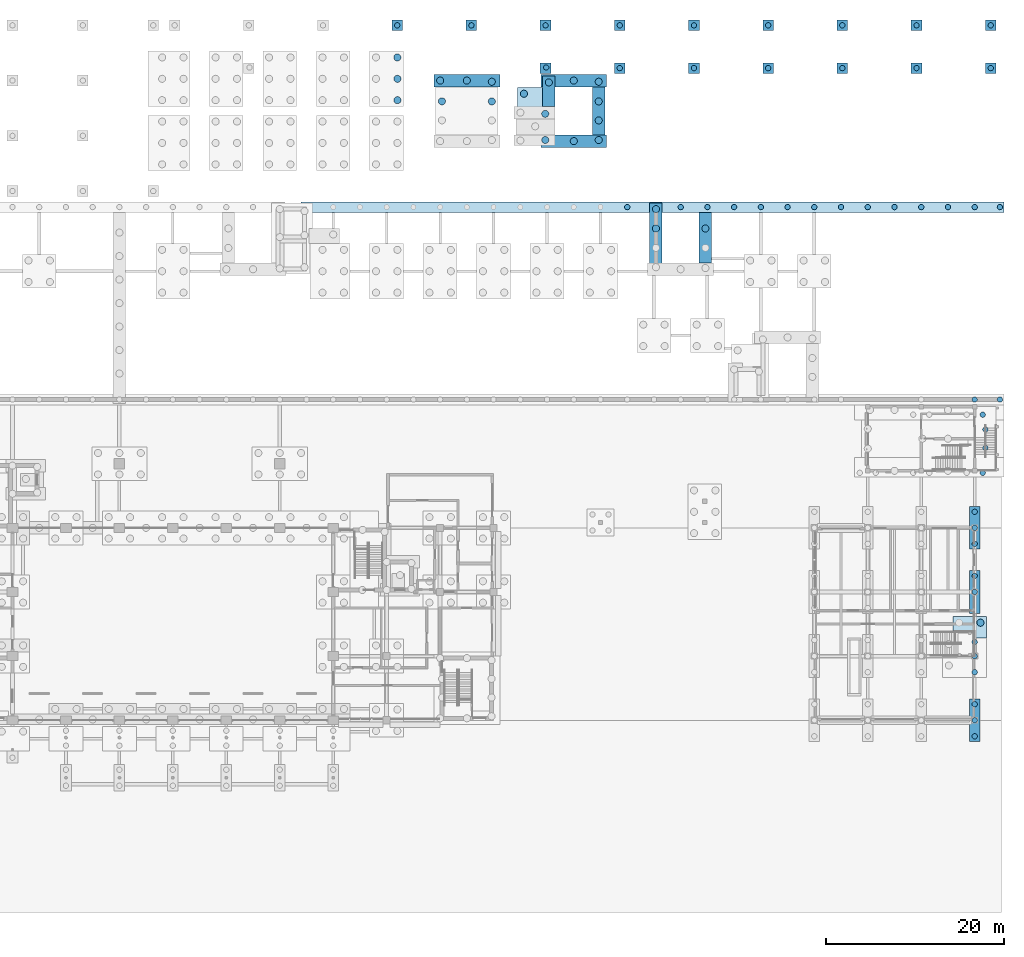
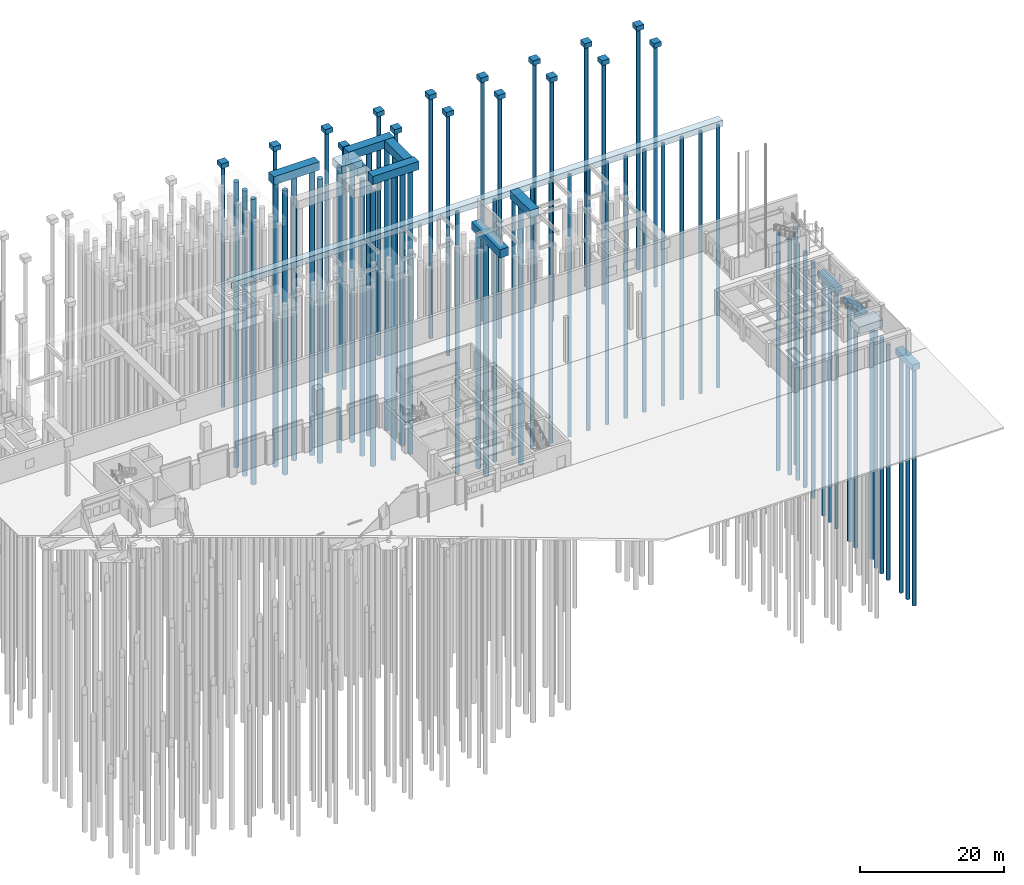
# One storey, part 7 of 37: 69 piles, 29 footings.
"""IFC4 building model written with IfcOpenShell, lengths in metres."""

from ifc_helpers import new_model, si_unit, direction, frame, origin, origin_2d, place, context, subcontext, project, spatial, polyline, circle, outline, extrude, material, layer, layer_set, material_profile, profile_set, type_object, element, save


model = new_model("IFC4")

# Units and contexts
model_context = context("Model", 3, precision=1e-05, world=origin(), true_north=direction((0.0, 1.0)))
body_context = subcontext(model_context, "Body", "Model", "MODEL_VIEW")
ifc_project = project(units=[si_unit("LENGTHUNIT", "METRE"), si_unit("AREAUNIT", "SQUARE_METRE"), si_unit("VOLUMEUNIT", "CUBIC_METRE"), si_unit("PLANEANGLEUNIT", "RADIAN"), si_unit("MASSUNIT", "GRAM", prefix="KILO")], contexts=[model_context])

# Site, building, storey
site_placement = place(None, origin())
site = spatial("IfcSite", under=ifc_project, at=site_placement, CompositionType="ELEMENT")
building_placement = place(site_placement, origin())
building = spatial("IfcBuilding", under=site, at=building_placement, Name="Laocheng Heights Fire and Rescue Headquarters", CompositionType="ELEMENT")
storey_placement = place(building_placement, origin())
storey = spatial("IfcBuildingStorey", under=building, at=storey_placement, Name="L00", CompositionType="ELEMENT", Elevation=0.0)

# Piles
ifc_material_1 = material(Name="Concrete C35", Category="concrete")
ifc_material_profile_1 = material_profile(ifc_material_1, circle(Radius=0.300048828125, at=origin_2d()), Name="BORED PILE D600")
ifc_profile_set_1 = profile_set([ifc_material_profile_1], Name="Concrete C35")
pile_type_1 = type_object("IfcPileType", Name="BORED PILE D600", PredefinedType="BORED", material=ifc_profile_set_1)
for number, where, z_axis, x_axis, name in (
    (1, (126.0, -1.800048828125, -1.25), (0.0, 0.0, -1.0), (1.0, 0.0, 0.0), "Bored pile D600"),
    (2, (126.0, 0.0, -1.25), (0.0, 0.0, -1.0), (1.0, 0.0, 0.0), "Bored pile D600"),
    (3, (126.0, 1.800048828125, -1.25), (0.0, 0.0, -1.0), (1.0, 0.0, 0.0), "Bored pile D600"),
):
    element("IfcPile", number, at=place(storey_placement, frame(where, z_axis=z_axis, x_axis=x_axis)), inside=storey, type_object=pile_type_1, Name=name, PredefinedType="BORED", context=body_context, shape_type="SweptSolid", body=[
        extrude(circle(Radius=0.300048828125, at=origin_2d()), origin(), (0.0, 0.0, 1.0), 40.25),
    ])
for number, where, z_axis, x_axis, name in (
    (4, (126.0, 5.39990234375, -1.449951171875), (0.0, 0.0, -1.0), (1.0, 0.0, 0.0), "Bored pile D600"),
    (5, (126.0, 7.199951171875, -1.449951171875), (0.0, 0.0, -1.0), (1.0, 0.0, 0.0), "Bored pile D600"),
    (6, (126.0, 8.780029296875, -1.449951171875), (0.0, 0.0, -1.0), (1.0, 0.0, 0.0), "Bored pile D600"),
):
    element("IfcPile", number, at=place(storey_placement, frame(where, z_axis=z_axis, x_axis=x_axis)), inside=storey, type_object=pile_type_1, Name=name, PredefinedType="BORED", context=body_context, shape_type="SweptSolid", body=[
        extrude(circle(Radius=0.300048828125, at=origin_2d()), origin(), (0.0, 0.0, 1.0), 40.050048828125),
    ])
for number, where, z_axis, x_axis, name in (
    (7, (126.0, 14.39990234375, -1.25), (0.0, 0.0, -1.0), (1.0, 0.0, 0.0), "Bored pile D600"),
    (8, (126.0, 16.199951171875, -1.25), (0.0, 0.0, -1.0), (1.0, 0.0, 0.0), "Bored pile D600"),
):
    element("IfcPile", number, at=place(storey_placement, frame(where, z_axis=z_axis, x_axis=x_axis)), inside=storey, type_object=pile_type_1, Name=name, PredefinedType="BORED", context=body_context, shape_type="SweptSolid", body=[
        extrude(circle(Radius=0.300048828125, at=origin_2d()), origin(), (0.0, 0.0, 1.0), 40.25),
    ])
for number, where, z_axis, x_axis, name in (
    (9, (126.0, 19.800048828125, -1.300048828125), (0.0, 0.0, -1.0), (1.0, 0.0, 0.0), "Bored pile D600"),
    (10, (126.0, 21.60009765625, -1.300048828125), (0.0, 0.0, -1.0), (1.0, 0.0, 0.0), "Bored pile D600"),
    (11, (126.0, 23.39990234375, -1.300048828125), (0.0, 0.0, -1.0), (1.0, 0.0, 0.0), "Bored pile D600"),
):
    element("IfcPile", number, at=place(storey_placement, frame(where, z_axis=z_axis, x_axis=x_axis)), inside=storey, type_object=pile_type_1, Name=name, PredefinedType="BORED", context=body_context, shape_type="SweptSolid", body=[
        extrude(circle(Radius=0.300048828125, at=origin_2d()), origin(), (0.0, 0.0, 1.0), 40.199951171875),
    ])
for number, where, z_axis, x_axis, name in (
    (12, (126.89990234375, 27.77001953125, -1.5), (0.0, 0.0, -1.0), (1.0, 0.0, 0.0), "Bored pile D600"),
    (13, (127.199951171875, 30.566650390625, -1.5), (0.0, 0.0, -1.0), (1.0, 0.0, 0.0), "Bored pile D600"),
    (14, (127.199951171875, 32.63330078125, -1.5), (0.0, 0.0, -1.0), (1.0, 0.0, 0.0), "Bored pile D600"),
    (15, (126.89990234375, 34.300048828125, -1.5), (0.0, 0.0, -1.0), (1.0, 0.0, 0.0), "Bored pile D600"),
):
    element("IfcPile", number, at=place(storey_placement, frame(where, z_axis=z_axis, x_axis=x_axis)), inside=storey, type_object=pile_type_1, Name=name, PredefinedType="BORED", context=body_context, shape_type="SweptSolid", body=[
        extrude(circle(Radius=0.300048828125, at=origin_2d()), origin(), (0.0, 0.0, 1.0), 40.0),
    ])
for number, where, z_axis, x_axis, name in (
    (16, (126.0, 36.0, -1.300048828125), (0.0, 0.0, -1.0), (1.0, 0.0, 0.0), "Bored pile D600"),
    (17, (128.830078125, 36.0, -1.300048828125), (0.0, 0.0, -1.0), (1.0, 0.0, 0.0), "Bored pile D600"),
):
    element("IfcPile", number, at=place(storey_placement, frame(where, z_axis=z_axis, x_axis=x_axis)), inside=storey, type_object=pile_type_1, Name=name, PredefinedType="BORED", context=body_context, shape_type="SweptSolid", body=[
        extrude(circle(Radius=0.300048828125, at=origin_2d()), origin(), (0.0, 0.0, 1.0), 40.199951171875),
    ])
for number, where, z_axis, x_axis, name in (
    (18, (87.0, 57.60009765625, 2.949951171875), (0.0, 0.0, -1.0), (1.0, 0.0, 0.0), "Bored pile D600"),
    (19, (93.0, 57.60009765625, 2.949951171875), (0.0, 0.0, -1.0), (1.0, 0.0, 0.0), "Bored pile D600"),
    (20, (96.0, 57.60009765625, 2.949951171875), (0.0, 0.0, -1.0), (1.0, 0.0, 0.0), "Bored pile D600"),
    (21, (99.0, 57.60009765625, 2.949951171875), (0.0, 0.0, -1.0), (1.0, 0.0, 0.0), "Bored pile D600"),
    (22, (102.0, 57.60009765625, 2.949951171875), (0.0, 0.0, -1.0), (1.0, 0.0, 0.0), "Bored pile D600"),
    (23, (105.0, 57.60009765625, 2.949951171875), (0.0, 0.0, -1.0), (1.0, 0.0, 0.0), "Bored pile D600"),
    (24, (108.0, 57.60009765625, 2.949951171875), (0.0, 0.0, -1.0), (1.0, 0.0, 0.0), "Bored pile D600"),
    (25, (111.0, 57.60009765625, 2.949951171875), (0.0, 0.0, -1.0), (1.0, 0.0, 0.0), "Bored pile D600"),
    (26, (114.0, 57.60009765625, 2.949951171875), (0.0, 0.0, -1.0), (1.0, 0.0, 0.0), "Bored pile D600"),
    (27, (117.0, 57.60009765625, 2.949951171875), (0.0, 0.0, -1.0), (1.0, 0.0, 0.0), "Bored pile D600"),
    (28, (120.0, 57.60009765625, 2.949951171875), (0.0, 0.0, -1.0), (1.0, 0.0, 0.0), "Bored pile D600"),
    (29, (123.0, 57.60009765625, 2.949951171875), (0.0, 0.0, -1.0), (1.0, 0.0, 0.0), "Bored pile D600"),
    (30, (126.0, 57.60009765625, 2.949951171875), (0.0, 0.0, -1.0), (1.0, 0.0, 0.0), "Bored pile D600"),
    (31, (128.830078125, 57.60009765625, 2.949951171875), (0.0, 0.0, -1.0), (1.0, 0.0, 0.0), "Bored pile D600"),
):
    element("IfcPile", number, at=place(storey_placement, frame(where, z_axis=z_axis, x_axis=x_axis)), inside=storey, type_object=pile_type_1, Name=name, PredefinedType="BORED", context=body_context, shape_type="SweptSolid", body=[
        extrude(circle(Radius=0.300048828125, at=origin_2d()), origin(), (0.0, 0.0, 1.0), 44.449951171875),
    ])
for number, where, z_axis, x_axis, name in (
    (32, (77.906494140625, 73.27001953125, 7.35009765625), (0.0, 0.0, -1.0), (1.0, 0.0, 0.0), "Bored pile D600"),
    (33, (86.16357421875, 73.199951171875, 7.35009765625), (0.0, 0.0, -1.0), (1.0, 0.0, 0.0), "Bored pile D600"),
    (34, (94.490966796875, 73.199951171875, 7.35009765625), (0.0, 0.0, -1.0), (1.0, 0.0, 0.0), "Bored pile D600"),
    (35, (102.818115234375, 73.199951171875, 7.35009765625), (0.0, 0.0, -1.0), (1.0, 0.0, 0.0), "Bored pile D600"),
    (36, (111.1455078125, 73.199951171875, 7.35009765625), (0.0, 0.0, -1.0), (1.0, 0.0, 0.0), "Bored pile D600"),
    (37, (119.47265625, 73.199951171875, 7.35009765625), (0.0, 0.0, -1.0), (1.0, 0.0, 0.0), "Bored pile D600"),
    (38, (127.800048828125, 73.199951171875, 7.35009765625), (0.0, 0.0, -1.0), (1.0, 0.0, 0.0), "Bored pile D600"),
    (39, (61.181884765625, 78.0, 7.35009765625), (0.0, 0.0, -1.0), (1.0, 0.0, 0.0), "Bored pile D600"),
    (40, (69.509033203125, 78.0, 7.35009765625), (0.0, 0.0, -1.0), (1.0, 0.0, 0.0), "Bored pile D600"),
    (41, (77.83642578125, 78.0, 7.35009765625), (0.0, 0.0, -1.0), (1.0, 0.0, 0.0), "Bored pile D600"),
    (42, (86.16357421875, 78.0, 7.35009765625), (0.0, 0.0, -1.0), (1.0, 0.0, 0.0), "Bored pile D600"),
    (43, (94.490966796875, 78.0, 7.35009765625), (0.0, 0.0, -1.0), (1.0, 0.0, 0.0), "Bored pile D600"),
    (44, (102.818115234375, 78.0, 7.35009765625), (0.0, 0.0, -1.0), (1.0, 0.0, 0.0), "Bored pile D600"),
    (45, (111.1455078125, 78.0, 7.35009765625), (0.0, 0.0, -1.0), (1.0, 0.0, 0.0), "Bored pile D600"),
    (46, (119.47265625, 78.0, 7.35009765625), (0.0, 0.0, -1.0), (1.0, 0.0, 0.0), "Bored pile D600"),
    (47, (127.800048828125, 78.0, 7.35009765625), (0.0, 0.0, -1.0), (1.0, 0.0, 0.0), "Bored pile D600"),
):
    element("IfcPile", number, at=place(storey_placement, frame(where, z_axis=z_axis, x_axis=x_axis)), inside=storey, type_object=pile_type_1, Name=name, PredefinedType="BORED", context=body_context, shape_type="SweptSolid", body=[
        extrude(circle(Radius=0.300048828125, at=origin_2d()), origin(), (0.0, 0.0, 1.0), 40.85009765625),
    ])
ifc_material_2 = material(Name="Concrete C35", Category="concrete")
ifc_material_profile_2 = material_profile(ifc_material_2, circle(Radius=0.39990234375, at=origin_2d()), Name="BORED PILE D800")
ifc_profile_set_2 = profile_set([ifc_material_profile_2], Name="Concrete C35")
pile_type_2 = type_object("IfcPileType", Name="BORED PILE D800", PredefinedType="BORED", material=ifc_profile_set_2)
pile_1_placement = place(storey_placement, frame((126.64990234375, 10.949951171875, -1.449951171875), z_axis=(0.0, 0.0, -1.0), x_axis=(1.0, 0.0, 0.0)))
element("IfcPile", 48, at=pile_1_placement, inside=storey, type_object=pile_type_2, Name="Bored pile D800", PredefinedType="BORED", context=body_context, shape_type="SweptSolid", body=[
    extrude(circle(Radius=0.39990234375, at=origin_2d()), origin(), (0.0, 0.0, 1.0), 40.050048828125),
])
for number, where, z_axis, x_axis, name in (
    (49, (90.22509765625, 55.199951171875, -1.39990234375), (0.0, 0.0, -1.0), (1.0, 0.0, 0.0), "Bored pile D800"),
    (50, (90.22509765625, 57.375, -1.39990234375), (0.0, 0.0, -1.0), (1.0, 0.0, 0.0), "Bored pile D800"),
):
    element("IfcPile", number, at=place(storey_placement, frame(where, z_axis=z_axis, x_axis=x_axis)), inside=storey, type_object=pile_type_2, Name=name, PredefinedType="BORED", context=body_context, shape_type="SweptSolid", body=[
        extrude(circle(Radius=0.39990234375, at=origin_2d()), origin(), (0.0, 0.0, 1.0), 40.10009765625),
    ])
pile_2_placement = place(storey_placement, frame((95.77490234375, 55.199951171875, 2.60009765625), z_axis=(0.0, 0.0, -1.0), x_axis=(1.0, 0.0, 0.0)))
element("IfcPile", 51, at=pile_2_placement, inside=storey, type_object=pile_type_2, Name="Bored pile D800", PredefinedType="BORED", context=body_context, shape_type="SweptSolid", body=[
    extrude(circle(Radius=0.39990234375, at=origin_2d()), origin(), (0.0, 0.0, 1.0), 44.10009765625),
])
for number, where, z_axis, x_axis, name in (
    (52, (83.800048828125, 65.1298828125, 6.75), (0.0, 0.0, -1.0), (1.0, 0.0, 0.0), "Bored pile D800"),
    (53, (81.0, 65.0, 6.75), (0.0, 0.0, -1.0), (1.0, 0.0, 0.0), "Bored pile D800"),
):
    element("IfcPile", number, at=place(storey_placement, frame(where, z_axis=z_axis, x_axis=x_axis)), inside=storey, type_object=pile_type_2, Name=name, PredefinedType="BORED", context=body_context, shape_type="SweptSolid", body=[
        extrude(circle(Radius=0.39990234375, at=origin_2d()), origin(), (0.0, 0.0, 1.0), 48.25),
    ])
for number, where, z_axis, x_axis, name in (
    (54, (77.800048828125, 65.1298828125, 5.300048828125), (0.0, 0.0, -1.0), (1.0, 0.0, 0.0), "Bored pile D800"),
    (55, (77.800048828125, 68.070068359375, 5.300048828125), (0.0, 0.0, -1.0), (1.0, 0.0, 0.0), "Bored pile D800"),
):
    element("IfcPile", number, at=place(storey_placement, frame(where, z_axis=z_axis, x_axis=x_axis)), inside=storey, type_object=pile_type_2, Name=name, PredefinedType="BORED", context=body_context, shape_type="SweptSolid", body=[
        extrude(circle(Radius=0.39990234375, at=origin_2d()), origin(), (0.0, 0.0, 1.0), 46.800048828125),
    ])
for number, where, z_axis, x_axis, name in (
    (56, (71.800048828125, 69.466796875, 6.75), (0.0, 0.0, -1.0), (1.0, 0.0, 0.0), "Bored pile D800"),
    (57, (66.199951171875, 69.466796875, 6.75), (0.0, 0.0, -1.0), (1.0, 0.0, 0.0), "Bored pile D800"),
    (58, (83.800048828125, 67.333251953125, 6.75), (0.0, 0.0, -1.0), (1.0, 0.0, 0.0), "Bored pile D800"),
    (59, (83.800048828125, 69.466796875, 6.75), (0.0, 0.0, -1.0), (1.0, 0.0, 0.0), "Bored pile D800"),
):
    element("IfcPile", number, at=place(storey_placement, frame(where, z_axis=z_axis, x_axis=x_axis)), inside=storey, type_object=pile_type_2, Name=name, PredefinedType="BORED", context=body_context, shape_type="SweptSolid", body=[
        extrude(circle(Radius=0.39990234375, at=origin_2d()), origin(), (0.0, 0.0, 1.0), 48.25),
    ])
pile_3_placement = place(storey_placement, frame((75.39990234375, 70.324951171875, 6.949951171875), z_axis=(0.0, 0.0, -1.0), x_axis=(1.0, 0.0, 0.0)))
element("IfcPile", 60, at=pile_3_placement, inside=storey, type_object=pile_type_2, Name="Bored pile D800", PredefinedType="BORED", context=body_context, shape_type="SweptSolid", body=[
    extrude(circle(Radius=0.39990234375, at=origin_2d()), origin(), (0.0, 0.0, 1.0), 48.449951171875),
])
pile_4_placement = place(storey_placement, frame((78.199951171875, 71.60009765625, 5.300048828125), z_axis=(0.0, 0.0, -1.0), x_axis=(1.0, 0.0, 0.0)))
element("IfcPile", 61, at=pile_4_placement, inside=storey, type_object=pile_type_2, Name="Bored pile D800", PredefinedType="BORED", context=body_context, shape_type="SweptSolid", body=[
    extrude(circle(Radius=0.39990234375, at=origin_2d()), origin(), (0.0, 0.0, 1.0), 46.800048828125),
])
for number, where, z_axis, x_axis, name in (
    (62, (71.800048828125, 71.669921875, 6.75), (0.0, 0.0, -1.0), (1.0, 0.0, 0.0), "Bored pile D800"),
    (63, (66.0, 71.800048828125, 6.75), (0.0, 0.0, -1.0), (1.0, 0.0, 0.0), "Bored pile D800"),
    (64, (69.0, 71.800048828125, 6.75), (0.0, 0.0, -1.0), (1.0, 0.0, 0.0), "Bored pile D800"),
    (65, (83.800048828125, 71.669921875, 6.75), (0.0, 0.0, -1.0), (1.0, 0.0, 0.0), "Bored pile D800"),
    (66, (81.0, 71.800048828125, 6.75), (0.0, 0.0, -1.0), (1.0, 0.0, 0.0), "Bored pile D800"),
):
    element("IfcPile", number, at=place(storey_placement, frame(where, z_axis=z_axis, x_axis=x_axis)), inside=storey, type_object=pile_type_2, Name=name, PredefinedType="BORED", context=body_context, shape_type="SweptSolid", body=[
        extrude(circle(Radius=0.39990234375, at=origin_2d()), origin(), (0.0, 0.0, 1.0), 48.25),
    ])
for number, where, z_axis, x_axis, name in (
    (67, (61.199951171875, 69.60009765625, 6.949951171875), (0.0, 0.0, -1.0), (1.0, 0.0, 0.0), "Bored pile D800"),
    (68, (61.199951171875, 72.0, 6.949951171875), (0.0, 0.0, -1.0), (1.0, 0.0, 0.0), "Bored pile D800"),
    (69, (61.199951171875, 74.39990234375, 6.949951171875), (0.0, 0.0, -1.0), (1.0, 0.0, 0.0), "Bored pile D800"),
):
    element("IfcPile", number, at=place(storey_placement, frame(where, z_axis=z_axis, x_axis=x_axis)), inside=storey, type_object=pile_type_2, Name=name, PredefinedType="BORED", context=body_context, shape_type="SweptSolid", body=[
        extrude(circle(Radius=0.39990234375, at=origin_2d()), origin(), (0.0, 0.0, 1.0), 48.449951171875),
    ])

# Footings
ifc_material_3 = material(Name="Concrete C40", Category="concrete")
ifc_layer_1 = layer(ifc_material_3, 0.800048828125)
ifc_layer_set_1 = layer_set([ifc_layer_1], Name="Concrete C40")
footing_type_1 = type_object("IfcFootingType", Name="RC PILE CAP 1200x1200x800 ON 1 D600 PILES", PredefinedType="PILE_CAP", material=ifc_layer_set_1)
footing_1_placement = place(storey_placement, frame((0.0, 0.0, 7.35009765625)))
element("IfcFooting", 70, at=footing_1_placement, inside=storey, type_object=footing_type_1, Name="Pile cap", PredefinedType="PILE_CAP", context=body_context, shape_type="SweptSolid", body=[
    extrude(outline(polyline([(77.236328125, 72.60009765625), (78.436279296875, 72.60009765625), (78.436279296875, 73.800048828125), (77.236328125, 73.800048828125), (77.236328125, 72.60009765625)])), origin(), (0.0, 0.0, 1.0), 0.7998046875),
])
footing_2_placement = place(storey_placement, frame((0.0, 0.0, 7.35009765625)))
element("IfcFooting", 71, at=footing_2_placement, inside=storey, type_object=footing_type_1, Name="Pile cap", PredefinedType="PILE_CAP", context=body_context, shape_type="SweptSolid", body=[
    extrude(outline(polyline([(85.563720703125, 72.60009765625), (86.763671875, 72.60009765625), (86.763671875, 73.800048828125), (85.563720703125, 73.800048828125), (85.563720703125, 72.60009765625)])), origin(), (0.0, 0.0, 1.0), 0.7998046875),
])
footing_3_placement = place(storey_placement, frame((0.0, 0.0, 7.35009765625)))
element("IfcFooting", 72, at=footing_3_placement, inside=storey, type_object=footing_type_1, Name="Pile cap", PredefinedType="PILE_CAP", context=body_context, shape_type="SweptSolid", body=[
    extrude(outline(polyline([(93.890869140625, 72.60009765625), (95.0908203125, 72.60009765625), (95.0908203125, 73.800048828125), (93.890869140625, 73.800048828125), (93.890869140625, 72.60009765625)])), origin(), (0.0, 0.0, 1.0), 0.7998046875),
])
footing_4_placement = place(storey_placement, frame((0.0, 0.0, 7.35009765625)))
element("IfcFooting", 73, at=footing_4_placement, inside=storey, type_object=footing_type_1, Name="Pile cap", PredefinedType="PILE_CAP", context=body_context, shape_type="SweptSolid", body=[
    extrude(outline(polyline([(102.21826171875, 72.60009765625), (103.418212890625, 72.60009765625), (103.418212890625, 73.800048828125), (102.21826171875, 73.800048828125), (102.21826171875, 72.60009765625)])), origin(), (0.0, 0.0, 1.0), 0.7998046875),
])
footing_5_placement = place(storey_placement, frame((0.0, 0.0, 7.35009765625)))
element("IfcFooting", 74, at=footing_5_placement, inside=storey, type_object=footing_type_1, Name="Pile cap", PredefinedType="PILE_CAP", context=body_context, shape_type="SweptSolid", body=[
    extrude(outline(polyline([(110.54541015625, 72.60009765625), (111.74560546875, 72.60009765625), (111.74560546875, 73.800048828125), (110.54541015625, 73.800048828125), (110.54541015625, 72.60009765625)])), origin(), (0.0, 0.0, 1.0), 0.7998046875),
])
footing_6_placement = place(storey_placement, frame((0.0, 0.0, 7.35009765625)))
element("IfcFooting", 75, at=footing_6_placement, inside=storey, type_object=footing_type_1, Name="Pile cap", PredefinedType="PILE_CAP", context=body_context, shape_type="SweptSolid", body=[
    extrude(outline(polyline([(118.872802734375, 72.60009765625), (120.07275390625, 72.60009765625), (120.07275390625, 73.800048828125), (118.872802734375, 73.800048828125), (118.872802734375, 72.60009765625)])), origin(), (0.0, 0.0, 1.0), 0.7998046875),
])
footing_7_placement = place(storey_placement, frame((0.0, 0.0, 7.35009765625)))
element("IfcFooting", 76, at=footing_7_placement, inside=storey, type_object=footing_type_1, Name="Pile cap", PredefinedType="PILE_CAP", context=body_context, shape_type="SweptSolid", body=[
    extrude(outline(polyline([(127.199951171875, 72.60009765625), (128.39990234375, 72.60009765625), (128.39990234375, 73.800048828125), (127.199951171875, 73.800048828125), (127.199951171875, 72.60009765625)])), origin(), (0.0, 0.0, 1.0), 0.7998046875),
])
footing_8_placement = place(storey_placement, frame((0.0, 0.0, 7.35009765625)))
element("IfcFooting", 77, at=footing_8_placement, inside=storey, type_object=footing_type_1, Name="Pile cap", PredefinedType="PILE_CAP", context=body_context, shape_type="SweptSolid", body=[
    extrude(outline(polyline([(60.581787109375, 77.39990234375), (61.78173828125, 77.39990234375), (61.78173828125, 78.60009765625), (60.581787109375, 78.60009765625), (60.581787109375, 77.39990234375)])), origin(), (0.0, 0.0, 1.0), 0.7998046875),
])
footing_9_placement = place(storey_placement, frame((0.0, 0.0, 7.35009765625)))
element("IfcFooting", 78, at=footing_9_placement, inside=storey, type_object=footing_type_1, Name="Pile cap", PredefinedType="PILE_CAP", context=body_context, shape_type="SweptSolid", body=[
    extrude(outline(polyline([(68.9091796875, 77.39990234375), (70.109130859375, 77.39990234375), (70.109130859375, 78.60009765625), (68.9091796875, 78.60009765625), (68.9091796875, 77.39990234375)])), origin(), (0.0, 0.0, 1.0), 0.7998046875),
])
footing_10_placement = place(storey_placement, frame((0.0, 0.0, 7.35009765625)))
element("IfcFooting", 79, at=footing_10_placement, inside=storey, type_object=footing_type_1, Name="Pile cap", PredefinedType="PILE_CAP", context=body_context, shape_type="SweptSolid", body=[
    extrude(outline(polyline([(77.236328125, 77.39990234375), (78.436279296875, 77.39990234375), (78.436279296875, 78.60009765625), (77.236328125, 78.60009765625), (77.236328125, 77.39990234375)])), origin(), (0.0, 0.0, 1.0), 0.7998046875),
])
footing_11_placement = place(storey_placement, frame((0.0, 0.0, 7.35009765625)))
element("IfcFooting", 80, at=footing_11_placement, inside=storey, type_object=footing_type_1, Name="Pile cap", PredefinedType="PILE_CAP", context=body_context, shape_type="SweptSolid", body=[
    extrude(outline(polyline([(85.563720703125, 77.39990234375), (86.763671875, 77.39990234375), (86.763671875, 78.60009765625), (85.563720703125, 78.60009765625), (85.563720703125, 77.39990234375)])), origin(), (0.0, 0.0, 1.0), 0.7998046875),
])
footing_12_placement = place(storey_placement, frame((0.0, 0.0, 7.35009765625)))
element("IfcFooting", 81, at=footing_12_placement, inside=storey, type_object=footing_type_1, Name="Pile cap", PredefinedType="PILE_CAP", context=body_context, shape_type="SweptSolid", body=[
    extrude(outline(polyline([(93.890869140625, 77.39990234375), (95.0908203125, 77.39990234375), (95.0908203125, 78.60009765625), (93.890869140625, 78.60009765625), (93.890869140625, 77.39990234375)])), origin(), (0.0, 0.0, 1.0), 0.7998046875),
])
footing_13_placement = place(storey_placement, frame((0.0, 0.0, 7.35009765625)))
element("IfcFooting", 82, at=footing_13_placement, inside=storey, type_object=footing_type_1, Name="Pile cap", PredefinedType="PILE_CAP", context=body_context, shape_type="SweptSolid", body=[
    extrude(outline(polyline([(102.21826171875, 77.39990234375), (103.418212890625, 77.39990234375), (103.418212890625, 78.60009765625), (102.21826171875, 78.60009765625), (102.21826171875, 77.39990234375)])), origin(), (0.0, 0.0, 1.0), 0.7998046875),
])
footing_14_placement = place(storey_placement, frame((0.0, 0.0, 7.35009765625)))
element("IfcFooting", 83, at=footing_14_placement, inside=storey, type_object=footing_type_1, Name="Pile cap", PredefinedType="PILE_CAP", context=body_context, shape_type="SweptSolid", body=[
    extrude(outline(polyline([(110.54541015625, 77.39990234375), (111.74560546875, 77.39990234375), (111.74560546875, 78.60009765625), (110.54541015625, 78.60009765625), (110.54541015625, 77.39990234375)])), origin(), (0.0, 0.0, 1.0), 0.7998046875),
])
footing_15_placement = place(storey_placement, frame((0.0, 0.0, 7.35009765625)))
element("IfcFooting", 84, at=footing_15_placement, inside=storey, type_object=footing_type_1, Name="Pile cap", PredefinedType="PILE_CAP", context=body_context, shape_type="SweptSolid", body=[
    extrude(outline(polyline([(118.872802734375, 77.39990234375), (120.07275390625, 77.39990234375), (120.07275390625, 78.60009765625), (118.872802734375, 78.60009765625), (118.872802734375, 77.39990234375)])), origin(), (0.0, 0.0, 1.0), 0.7998046875),
])
footing_16_placement = place(storey_placement, frame((0.0, 0.0, 7.35009765625)))
element("IfcFooting", 85, at=footing_16_placement, inside=storey, type_object=footing_type_1, Name="Pile cap", PredefinedType="PILE_CAP", context=body_context, shape_type="SweptSolid", body=[
    extrude(outline(polyline([(127.199951171875, 77.39990234375), (128.39990234375, 77.39990234375), (128.39990234375, 78.60009765625), (127.199951171875, 78.60009765625), (127.199951171875, 77.39990234375)])), origin(), (0.0, 0.0, 1.0), 0.7998046875),
])
ifc_material_4 = material(Name="Concrete C40", Category="concrete")
ifc_layer_2 = layer(ifc_material_4, 1.0)
ifc_layer_set_2 = layer_set([ifc_layer_2], Name="Concrete C40")
footing_type_2 = type_object("IfcFootingType", Name="RC PILE CAP 1200x4800x1000 ON 2 D600 PILES", PredefinedType="PILE_CAP", material=ifc_layer_set_2)
footing_17_placement = place(storey_placement, frame((0.0, 0.0, -1.25)))
element("IfcFooting", 86, at=footing_17_placement, inside=storey, type_object=footing_type_2, Name="Pile cap", PredefinedType="PILE_CAP", context=body_context, shape_type="SweptSolid", body=[
    extrude(outline(polyline([(126.60009765625, 12.0), (126.60009765625, 16.800048828125), (125.39990234375, 16.800048828125), (125.39990234375, 12.0), (126.60009765625, 12.0)])), origin(), (0.0, 0.0, 1.0), 1.0),
])
ifc_material_5 = material(Name="Concrete C40", Category="concrete")
ifc_layer_3 = layer(ifc_material_5, 1.0)
ifc_layer_set_3 = layer_set([ifc_layer_3], Name="Concrete C40")
footing_type_3 = type_object("IfcFootingType", Name="RC PILE CAP 1200x4800x1000 ON 3 D600 PILES", PredefinedType="PILE_CAP", material=ifc_layer_set_3)
footing_18_placement = place(storey_placement, frame((0.0, 0.0, -1.25)))
element("IfcFooting", 87, at=footing_18_placement, inside=storey, type_object=footing_type_3, Name="Pile cap", PredefinedType="PILE_CAP", context=body_context, shape_type="SweptSolid", body=[
    extrude(outline(polyline([(126.60009765625, -2.39990234375), (126.60009765625, 2.39990234375), (125.39990234375, 2.39990234375), (125.39990234375, -2.39990234375), (126.60009765625, -2.39990234375)])), origin(), (0.0, 0.0, 1.0), 1.0),
])
footing_19_placement = place(storey_placement, frame((0.0, 0.0, -1.300048828125)))
element("IfcFooting", 88, at=footing_19_placement, inside=storey, type_object=footing_type_3, Name="Pile cap", PredefinedType="PILE_CAP", context=body_context, shape_type="SweptSolid", body=[
    extrude(outline(polyline([(126.60009765625, 19.199951171875), (126.60009765625, 24.0), (125.39990234375, 24.0), (125.39990234375, 19.199951171875), (126.60009765625, 19.199951171875)])), origin(), (0.0, 0.0, 1.0), 1.0),
])
ifc_material_6 = material(Name="Concrete C40", Category="concrete")
ifc_layer_4 = layer(ifc_material_6, 1.39990234375)
ifc_layer_set_4 = layer_set([ifc_layer_4], Name="Concrete C40")
footing_type_4 = type_object("IfcFootingType", Name="RC PILE CAP 1400x3400x1400 ON 1 D800 PILES", PredefinedType="PILE_CAP", material=ifc_layer_set_4)
footing_20_placement = place(storey_placement, frame((0.0, 0.0, 5.300048828125)))
element("IfcFooting", 89, at=footing_20_placement, inside=storey, type_object=footing_type_4, Name="Pile cap", PredefinedType="PILE_CAP", context=body_context, shape_type="SweptSolid", body=[
    extrude(outline(polyline([(78.89990234375, 68.89990234375), (78.89990234375, 72.300048828125), (77.5, 72.300048828125), (77.5, 68.89990234375), (78.89990234375, 68.89990234375)])), origin(), (0.0, 0.0, 1.0), 1.39990234375),
])
ifc_material_7 = material(Name="Concrete C40", Category="concrete")
ifc_layer_5 = layer(ifc_material_7, 1.39990234375)
ifc_layer_set_5 = layer_set([ifc_layer_5], Name="Concrete C40")
footing_type_5 = type_object("IfcFootingType", Name="RC PILE CAP 1400x5400x1400 ON 2 D800 PILES", PredefinedType="PILE_CAP", material=ifc_layer_set_5)
footing_21_placement = place(storey_placement, frame((0.0, 0.0, 6.75)))
element("IfcFooting", 90, at=footing_21_placement, inside=storey, type_object=footing_type_5, Name="Pile cap", PredefinedType="PILE_CAP", context=body_context, shape_type="SweptSolid", body=[
    extrude(outline(polyline([(84.5, 65.699951171875), (84.5, 71.10009765625), (83.10009765625, 71.10009765625), (83.10009765625, 65.699951171875), (84.5, 65.699951171875)])), origin(), (0.0, 0.0, 1.0), 1.39990234375),
])
ifc_material_8 = material(Name="Concrete C40", Category="concrete")
ifc_layer_6 = layer(ifc_material_8, 1.39990234375)
ifc_layer_set_6 = layer_set([ifc_layer_6], Name="Concrete C40")
footing_type_6 = type_object("IfcFootingType", Name="RC PILE CAP 1400x5675x1400 ON 2 D800 PILES", PredefinedType="PILE_CAP", material=ifc_layer_set_6)
footing_22_placement = place(storey_placement, frame((0.0, 0.0, 2.60009765625)))
element("IfcFooting", 91, at=footing_22_placement, inside=storey, type_object=footing_type_6, Name="Pile cap", PredefinedType="PILE_CAP", context=body_context, shape_type="SweptSolid", body=[
    extrude(outline(polyline([(96.47509765625, 51.324951171875), (96.47509765625, 57.0), (95.074951171875, 57.0), (95.074951171875, 51.324951171875), (96.47509765625, 51.324951171875)])), origin(), (0.0, 0.0, 1.0), 1.39990234375),
])
ifc_material_9 = material(Name="Concrete C40", Category="concrete")
ifc_layer_7 = layer(ifc_material_9, 1.39990234375)
ifc_layer_set_7 = layer_set([ifc_layer_7], Name="Concrete C40")
footing_type_7 = type_object("IfcFootingType", Name="RC PILE CAP 1400x7925x1400 ON 4 D800 PILES", PredefinedType="PILE_CAP", material=ifc_layer_set_7)
footing_23_placement = place(storey_placement, frame((0.0, 0.0, -1.39990234375)))
element("IfcFooting", 92, at=footing_23_placement, inside=storey, type_object=footing_type_7, Name="Pile cap", PredefinedType="PILE_CAP", context=body_context, shape_type="SweptSolid", body=[
    extrude(outline(polyline([(90.925048828125, 58.074951171875), (89.52490234375, 58.074951171875), (89.52490234375, 50.14990234375), (90.925048828125, 50.14990234375), (90.925048828125, 58.074951171875)])), origin(), (0.0, 0.0, 1.0), 1.39990234375),
])
ifc_material_10 = material(Name="Concrete C40", Category="concrete")
ifc_layer_8 = layer(ifc_material_10, 1.199951171875)
ifc_layer_set_8 = layer_set([ifc_layer_8], Name="Concrete C40")
footing_type_8 = type_object("IfcFootingType", Name="RC PILE CAP 3400x2525x1200 ON 1 D800 PILES", PredefinedType="PILE_CAP", material=ifc_layer_set_8)
footing_24_placement = place(storey_placement, frame((0.0, 0.0, 6.949951171875)))
element("IfcFooting", 93, at=footing_24_placement, inside=storey, type_object=footing_type_8, Name="Pile cap", PredefinedType="PILE_CAP", context=body_context, shape_type="SweptSolid", body=[
    extrude(outline(polyline([(74.699951171875, 68.5), (78.10009765625, 68.5), (78.10009765625, 71.02490234375), (74.699951171875, 71.02490234375), (74.699951171875, 68.5)])), origin(), (0.0, 0.0, 1.0), 1.199951171875),
])
ifc_material_11 = material(Name="Concrete C40", Category="concrete")
ifc_layer_9 = layer(ifc_material_11, 1.199951171875)
ifc_layer_set_9 = layer_set([ifc_layer_9], Name="Concrete C40")
footing_type_9 = type_object("IfcFootingType", Name="RC PILE CAP 3800x2400x1200 ON 2 D800 PILES", PredefinedType="PILE_CAP", material=ifc_layer_set_9)
footing_25_placement = place(storey_placement, frame((0.0, 0.0, -1.449951171875)))
element("IfcFooting", 94, at=footing_25_placement, inside=storey, type_object=footing_type_9, Name="Pile cap", PredefinedType="PILE_CAP", context=body_context, shape_type="SweptSolid", body=[
    extrude(outline(polyline([(127.35009765625, 9.25), (127.35009765625, 11.64990234375), (123.550048828125, 11.64990234375), (123.550048828125, 9.25), (127.35009765625, 9.25)])), origin(), (0.0, 0.0, 1.0), 1.199951171875),
])
ifc_material_12 = material(Name="Concrete C40", Category="concrete")
ifc_layer_10 = layer(ifc_material_12, 1.39990234375)
ifc_layer_set_10 = layer_set([ifc_layer_10], Name="Concrete C40")
footing_type_10 = type_object("IfcFootingType", Name="RC PILE CAP 7400x1400x1400 ON 2 D800 PILES", PredefinedType="PILE_CAP", material=ifc_layer_set_10)
footing_26_placement = place(storey_placement, frame((0.0, 0.0, 6.75)))
element("IfcFooting", 95, at=footing_26_placement, inside=storey, type_object=footing_type_10, Name="Pile cap", PredefinedType="PILE_CAP", context=body_context, shape_type="SweptSolid", body=[
    extrude(outline(polyline([(84.699951171875, 64.300048828125), (84.699951171875, 65.699951171875), (77.300048828125, 65.699951171875), (77.300048828125, 64.300048828125), (84.699951171875, 64.300048828125)])), origin(), (0.0, 0.0, 1.0), 1.39990234375),
])
footing_27_placement = place(storey_placement, frame((0.0, 0.0, 6.75)))
element("IfcFooting", 96, at=footing_27_placement, inside=storey, type_object=footing_type_10, Name="Pile cap", PredefinedType="PILE_CAP", context=body_context, shape_type="SweptSolid", body=[
    extrude(outline(polyline([(84.699951171875, 71.10009765625), (84.699951171875, 72.5), (77.300048828125, 72.5), (77.300048828125, 71.10009765625), (84.699951171875, 71.10009765625)])), origin(), (0.0, 0.0, 1.0), 1.39990234375),
])
ifc_material_13 = material(Name="Concrete C40", Category="concrete")
ifc_layer_11 = layer(ifc_material_13, 1.39990234375)
ifc_layer_set_11 = layer_set([ifc_layer_11], Name="Concrete C40")
footing_type_11 = type_object("IfcFootingType", Name="RC PILE CAP 7400x1400x1400 ON 3 D800 PILES", PredefinedType="PILE_CAP", material=ifc_layer_set_11)
footing_28_placement = place(storey_placement, frame((0.0, 0.0, 6.75)))
element("IfcFooting", 97, at=footing_28_placement, inside=storey, type_object=footing_type_11, Name="Pile cap", PredefinedType="PILE_CAP", context=body_context, shape_type="SweptSolid", body=[
    extrude(outline(polyline([(72.699951171875, 71.10009765625), (72.699951171875, 72.5), (65.300048828125, 72.5), (65.300048828125, 71.10009765625), (72.699951171875, 71.10009765625)])), origin(), (0.0, 0.0, 1.0), 1.39990234375),
])
ifc_material_14 = material(Name="Concrete C40", Category="concrete")
ifc_layer_12 = layer(ifc_material_14, 1.0)
ifc_layer_set_12 = layer_set([ifc_layer_12], Name="Concrete C40")
footing_type_12 = type_object("IfcFootingType", Name="RC STRIP FOOTING 1200 x 1000 RETAINING WALL", PredefinedType="STRIP_FOOTING", material=ifc_layer_set_12)
footing_29_placement = place(storey_placement, frame((0.0, 0.0, 2.949951171875)))
element("IfcFooting", 98, at=footing_29_placement, inside=storey, type_object=footing_type_12, Name="Retaining wall strip footing", PredefinedType="STRIP_FOOTING", context=body_context, shape_type="SweptSolid", body=[
    extrude(outline(polyline([(129.2900390625, 57.0), (129.2900390625, 58.199951171875), (50.39990234375, 58.199951171875), (50.39990234375, 57.0), (129.2900390625, 57.0)])), origin(), (0.0, 0.0, 1.0), 1.0),
])

save(model, "model.ifc")
